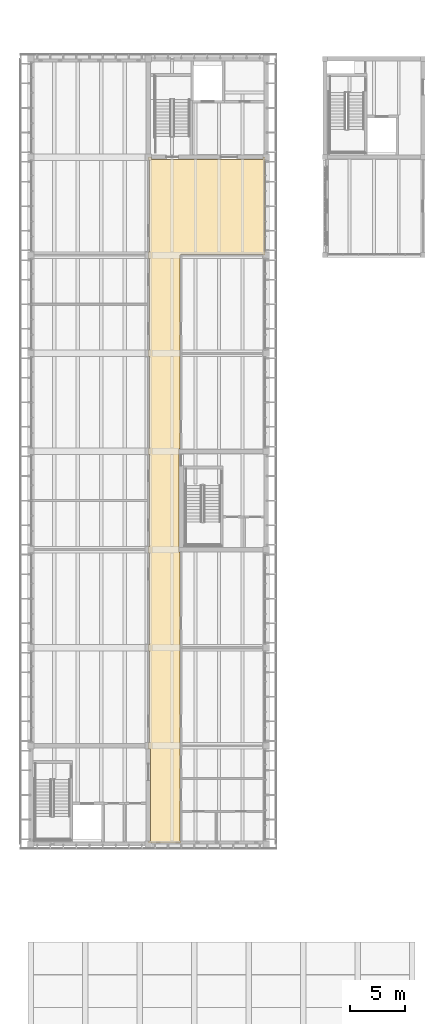
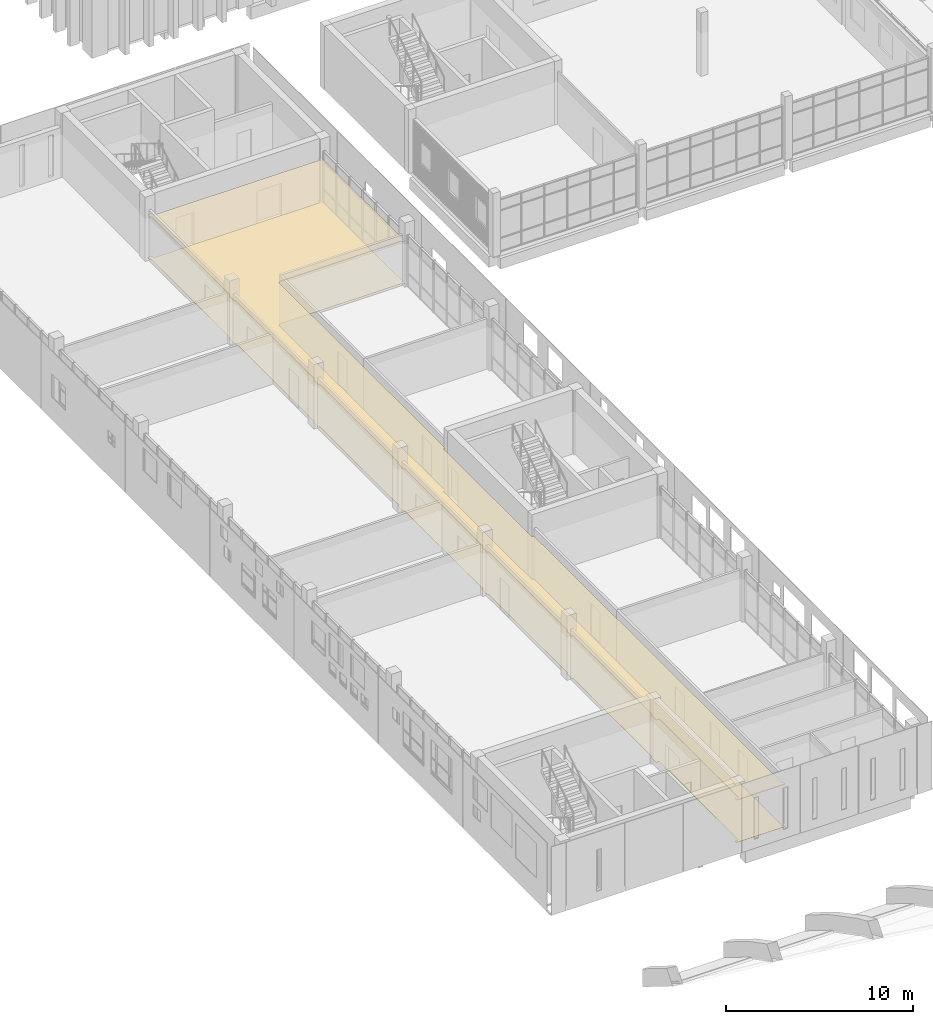
# One storey, part 74 of 88: 2 coverings.
"""IFC4 building model written with IfcOpenShell, lengths in metres."""

from ifc_helpers import new_model, si_unit, direction, frame, origin, place, context, subcontext, project, spatial, polyline, outline, extrude, material, layer, layer_set, type_object, element, save


model = new_model("IFC4")

# Units and contexts
model_context = context("Model", 3, precision=1e-05, world=origin(), true_north=direction((0.0, 1.0)))
body_context = subcontext(model_context, "Body", "Model", "MODEL_VIEW")
ifc_project = project(units=[si_unit("LENGTHUNIT", "METRE"), si_unit("AREAUNIT", "SQUARE_METRE"), si_unit("VOLUMEUNIT", "CUBIC_METRE"), si_unit("PLANEANGLEUNIT", "RADIAN"), si_unit("MASSUNIT", "GRAM", prefix="KILO")], contexts=[model_context])

# Site, building, storey
site_placement = place(None, origin())
site = spatial("IfcSite", under=ifc_project, at=site_placement, CompositionType="ELEMENT")
building_placement = place(site_placement, origin())
building = spatial("IfcBuilding", under=site, at=building_placement, Name="Merrow Basin Faculty of Sciences", CompositionType="ELEMENT")
storey_placement = place(building_placement, frame((0.0, 0.0, 9.0)))
storey = spatial("IfcBuildingStorey", under=building, at=storey_placement, Name="L02", CompositionType="ELEMENT", Elevation=9.0)

# Coverings
ifc_material_1 = material(Name="Polished terrazzo floor")
ifc_layer_1 = layer(ifc_material_1, 0.02001953125)
ifc_layer_set_1 = layer_set([ifc_layer_1], Name="Polished terrazzo floor")
covering_type_1 = type_object("IfcCoveringType", Name="Polished terrazzo floor", PredefinedType="FLOORING", material=ifc_layer_set_1)
covering_1_placement = place(storey_placement, origin())
element("IfcCovering", 1, at=covering_1_placement, inside=storey, type_object=covering_type_1, Name="Floor finish L02-B-026", PredefinedType="FLOORING", context=body_context, shape_type="SweptSolid", body=[
    extrude(outline(polyline([(11.090087890625, 123.989990234375), (11.090087890625, 123.7900390625), (21.31005859375, 123.7900390625), (21.31005859375, 123.989990234375), (21.489990234375, 123.989990234375), (21.489990234375, 115.010009765625), (21.31005859375, 115.010009765625), (21.31005859375, 115.0849609375), (13.7900390625, 115.0849609375), (13.7900390625, 115.010009765625), (13.715087890625, 115.010009765625), (13.715087890625, 97.2099609375), (13.590087890625, 97.2099609375), (13.590087890625, 96.800048828125), (13.590087890625, 88.2099609375), (13.590087890625, 87.7900390625), (13.715087890625, 87.7900390625), (13.715087890625, 61.2900390625), (13.7900390625, 61.2900390625), (13.7900390625, 61.110107421875), (10.81005859375, 61.110107421875), (10.81005859375, 61.2900390625), (11.010009765625, 61.2900390625), (11.010009765625, 69.7099609375), (10.81005859375, 69.7099609375), (10.81005859375, 70.2900390625), (10.885009765625, 70.2900390625), (10.885009765625, 78.7099609375), (10.81005859375, 78.7099609375), (10.81005859375, 79.2900390625), (10.885009765625, 79.2900390625), (10.885009765625, 87.7099609375), (10.81005859375, 87.7099609375), (10.81005859375, 88.2900390625), (10.885009765625, 88.2900390625), (10.885009765625, 96.7099609375), (10.81005859375, 96.7099609375), (10.81005859375, 97.2900390625), (10.885009765625, 97.2900390625), (10.885009765625, 105.7099609375), (10.81005859375, 105.7099609375), (10.81005859375, 106.2900390625), (10.885009765625, 106.2900390625), (10.885009765625, 114.7099609375), (10.81005859375, 114.7099609375), (10.81005859375, 115.2900390625), (10.885009765625, 115.2900390625), (10.885009765625, 123.7099609375), (10.81005859375, 123.7099609375), (10.81005859375, 123.989990234375), (11.090087890625, 123.989990234375)])), origin(), (0.0, 0.0, 1.0), 0.02001953125),
])
ifc_material_2 = material(Name="Mineral fibre ceiling tile")
ifc_layer_2 = layer(ifc_material_2, 0.050048828125)
ifc_layer_set_2 = layer_set([ifc_layer_2], Name="Suspended acoustic ceiling tile")
covering_type_2 = type_object("IfcCoveringType", Name="Suspended acoustic ceiling tile", PredefinedType="CEILING", material=ifc_layer_set_2)
covering_2_placement = place(storey_placement, frame((0.0, 0.0, 2.75)))
element("IfcCovering", 2, at=covering_2_placement, inside=storey, type_object=covering_type_2, Name="Ceiling L02-B-026", PredefinedType="CEILING", context=body_context, shape_type="SweptSolid", body=[
    extrude(outline(polyline([(11.090087890625, 123.989990234375), (11.090087890625, 123.7900390625), (21.31005859375, 123.7900390625), (21.31005859375, 123.989990234375), (21.489990234375, 123.989990234375), (21.489990234375, 115.010009765625), (21.31005859375, 115.010009765625), (21.31005859375, 115.0849609375), (13.7900390625, 115.0849609375), (13.7900390625, 115.010009765625), (13.715087890625, 115.010009765625), (13.715087890625, 97.2099609375), (13.590087890625, 97.2099609375), (13.590087890625, 96.800048828125), (13.590087890625, 88.2099609375), (13.590087890625, 87.7900390625), (13.715087890625, 87.7900390625), (13.715087890625, 61.2900390625), (13.7900390625, 61.2900390625), (13.7900390625, 61.110107421875), (10.81005859375, 61.110107421875), (10.81005859375, 61.2900390625), (11.010009765625, 61.2900390625), (11.010009765625, 69.7099609375), (10.81005859375, 69.7099609375), (10.81005859375, 70.2900390625), (10.885009765625, 70.2900390625), (10.885009765625, 78.7099609375), (10.81005859375, 78.7099609375), (10.81005859375, 79.2900390625), (10.885009765625, 79.2900390625), (10.885009765625, 87.7099609375), (10.81005859375, 87.7099609375), (10.81005859375, 88.2900390625), (10.885009765625, 88.2900390625), (10.885009765625, 96.7099609375), (10.81005859375, 96.7099609375), (10.81005859375, 97.2900390625), (10.885009765625, 97.2900390625), (10.885009765625, 105.7099609375), (10.81005859375, 105.7099609375), (10.81005859375, 106.2900390625), (10.885009765625, 106.2900390625), (10.885009765625, 114.7099609375), (10.81005859375, 114.7099609375), (10.81005859375, 115.2900390625), (10.885009765625, 115.2900390625), (10.885009765625, 123.7099609375), (10.81005859375, 123.7099609375), (10.81005859375, 123.989990234375), (11.090087890625, 123.989990234375)])), origin(), (0.0, 0.0, 1.0), 0.050048828125),
])

save(model, "model.ifc")
